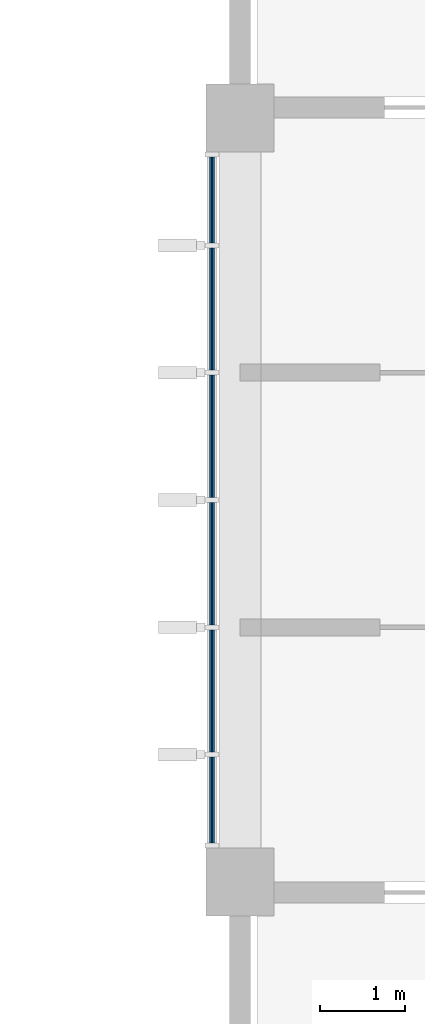
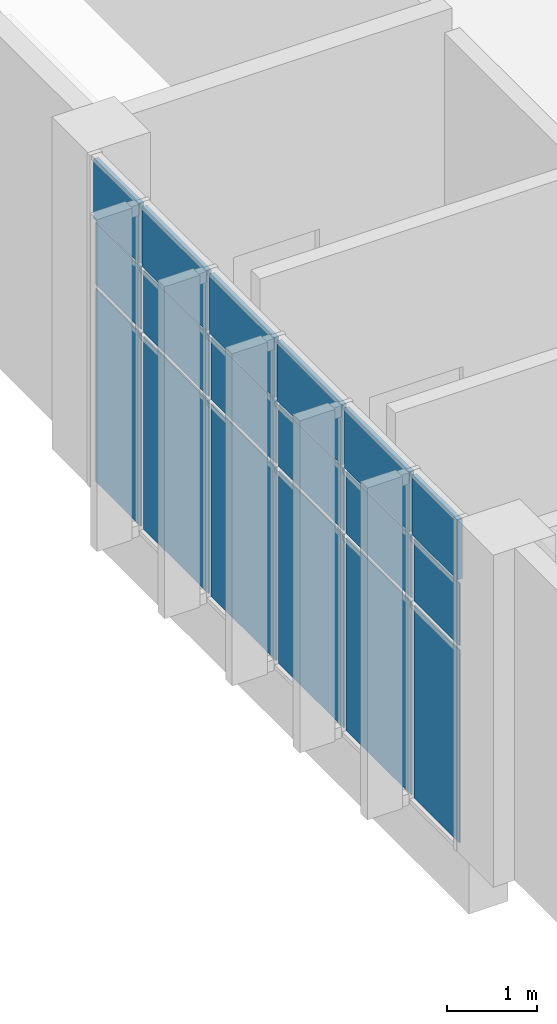
# One storey, part 25 of 43: 18 plates, 1 element without a shape of its own.
"""IFC4 building model written with IfcOpenShell, lengths in metres."""

from ifc_helpers import new_model, si_unit, direction, frame, origin, origin_2d, place, context, subcontext, project, spatial, rectangle, extrude, material, layer, layer_set, type_object, element, aggregate, save


model = new_model("IFC4")

# Units and contexts
model_context = context("Model", 3, precision=1e-05, world=origin(), true_north=direction((0.0, 1.0)))
body_context = subcontext(model_context, "Body", "Model", "MODEL_VIEW")
ifc_project = project(units=[si_unit("LENGTHUNIT", "METRE"), si_unit("AREAUNIT", "SQUARE_METRE"), si_unit("VOLUMEUNIT", "CUBIC_METRE"), si_unit("PLANEANGLEUNIT", "RADIAN"), si_unit("MASSUNIT", "GRAM", prefix="KILO")], contexts=[model_context])

# Site, building, storey
site_placement = place(None, origin())
site = spatial("IfcSite", under=ifc_project, at=site_placement, CompositionType="ELEMENT")
building_placement = place(site_placement, origin())
building = spatial("IfcBuilding", under=site, at=building_placement, Name="Guidao Yard Department Store", CompositionType="ELEMENT")
storey_placement = place(building_placement, frame((0.0, 0.0, 28.5)))
storey = spatial("IfcBuildingStorey", under=building, at=storey_placement, Name="L06", CompositionType="ELEMENT", Elevation=28.5)

# Curtain wall, plates
ifc_material_1 = material(Name="Aluminium and glass", Category="aluminium")
ifc_layer_1 = layer(ifc_material_1, 0.159912109375)
ifc_layer_set_1 = layer_set([ifc_layer_1], Name="Unitised curtain wall CW4 1500 module")
curtain_wall_type = type_object("IfcCurtainWallType", Name="Unitised curtain wall CW4 1500 module", PredefinedType="NOTDEFINED", material=ifc_layer_set_1)
curtain_wall_placement = place(storey_placement, origin())
curtain_wall = element("IfcCurtainWall", 1, at=curtain_wall_placement, inside=storey, type_object=curtain_wall_type, Name="Unitised curtain wall", PredefinedType="NOTDEFINED")
ifc_material_2 = material(Name="Aluminium 6063-T5 faced insulated spandrel", Category="aluminium")
ifc_layer_2 = layer(ifc_material_2, 0.06005859375)
ifc_layer_set_2 = layer_set([ifc_layer_2], Name="Spandrel panel SP1 insulated opaque")
plate_type_1 = type_object("IfcPlateType", Name="Spandrel panel SP1 insulated opaque", PredefinedType="CURTAIN_PANEL", material=ifc_layer_set_2)
plate_1_placement = place(storey_placement, frame((125.669921875, 9.965087890625, 3.6298828125), z_axis=(0.0, 0.0, 1.0), x_axis=(0.0, 1.0, 0.0)))
plate_1 = element("IfcPlate", 2, at=plate_1_placement, type_object=plate_type_1, Name="CW-OW-L06-05 panel 1.3", PredefinedType="CURTAIN_PANEL", context=body_context, shape_type="SweptSolid", body=[
    extrude(rectangle(XDim=1.010009765625, YDim=0.06005859375, at=origin_2d()), origin(), (0.0, 0.0, 1.0), 0.81005859375),
])
plate_2_placement = place(storey_placement, frame((125.669921875, 11.25, 3.6298828125), z_axis=(0.0, 0.0, 1.0), x_axis=(0.0, 1.0, 0.0)))
plate_2 = element("IfcPlate", 3, at=plate_2_placement, type_object=plate_type_1, Name="CW-OW-L06-05 panel 2.3", PredefinedType="CURTAIN_PANEL", context=body_context, shape_type="SweptSolid", body=[
    extrude(rectangle(XDim=1.43994140625, YDim=0.06005859375, at=origin_2d()), origin(), (0.0, 0.0, 1.0), 0.81005859375),
])
plate_3_placement = place(storey_placement, frame((125.669921875, 12.75, 3.6298828125), z_axis=(0.0, 0.0, 1.0), x_axis=(0.0, 1.0, 0.0)))
plate_3 = element("IfcPlate", 4, at=plate_3_placement, type_object=plate_type_1, Name="CW-OW-L06-05 panel 3.3", PredefinedType="CURTAIN_PANEL", context=body_context, shape_type="SweptSolid", body=[
    extrude(rectangle(XDim=1.43994140625, YDim=0.06005859375, at=origin_2d()), origin(), (0.0, 0.0, 1.0), 0.81005859375),
])
plate_4_placement = place(storey_placement, frame((125.669921875, 14.25, 3.6298828125), z_axis=(0.0, 0.0, 1.0), x_axis=(0.0, 1.0, 0.0)))
plate_4 = element("IfcPlate", 5, at=plate_4_placement, type_object=plate_type_1, Name="CW-OW-L06-05 panel 4.3", PredefinedType="CURTAIN_PANEL", context=body_context, shape_type="SweptSolid", body=[
    extrude(rectangle(XDim=1.43994140625, YDim=0.06005859375, at=origin_2d()), origin(), (0.0, 0.0, 1.0), 0.81005859375),
])
plate_5_placement = place(storey_placement, frame((125.669921875, 15.75, 3.6298828125), z_axis=(0.0, 0.0, 1.0), x_axis=(0.0, 1.0, 0.0)))
plate_5 = element("IfcPlate", 6, at=plate_5_placement, type_object=plate_type_1, Name="CW-OW-L06-05 panel 5.3", PredefinedType="CURTAIN_PANEL", context=body_context, shape_type="SweptSolid", body=[
    extrude(rectangle(XDim=1.43994140625, YDim=0.06005859375, at=origin_2d()), origin(), (0.0, 0.0, 1.0), 0.81005859375),
])
plate_6_placement = place(storey_placement, frame((125.669921875, 17.034912109375, 3.6298828125), z_axis=(0.0, 0.0, 1.0), x_axis=(0.0, 1.0, 0.0)))
plate_6 = element("IfcPlate", 7, at=plate_6_placement, type_object=plate_type_1, Name="CW-OW-L06-05 panel 6.3", PredefinedType="CURTAIN_PANEL", context=body_context, shape_type="SweptSolid", body=[
    extrude(rectangle(XDim=1.010009765625, YDim=0.06005859375, at=origin_2d()), origin(), (0.0, 0.0, 1.0), 0.81005859375),
])
ifc_material_3 = material(Name="Laminated heat-soaked tempered glass", Category="glass")
ifc_layer_3 = layer(ifc_material_3, 0.017578125)
ifc_layer_set_3 = layer_set([ifc_layer_3], Name="Vision glass VG1 laminated heat-soaked tempered 8+8")
plate_type_2 = type_object("IfcPlateType", Name="Vision glass VG1 laminated heat-soaked tempered 8+8", PredefinedType="CURTAIN_PANEL", material=ifc_layer_set_3)
plate_7_placement = place(storey_placement, frame((125.669921875, 9.965087890625, 0.06005859375), z_axis=(0.0, 0.0, 1.0), x_axis=(0.0, 1.0, 0.0)))
plate_7 = element("IfcPlate", 8, at=plate_7_placement, type_object=plate_type_2, Name="CW-OW-L06-05 panel 1.1", PredefinedType="CURTAIN_PANEL", context=body_context, shape_type="SweptSolid", body=[
    extrude(rectangle(XDim=1.010009765625, YDim=0.017578125, at=origin_2d()), origin(), (0.0, 0.0, 1.0), 2.610107421875),
])
plate_8_placement = place(storey_placement, frame((125.669921875, 9.965087890625, 2.72998046875), z_axis=(0.0, 0.0, 1.0), x_axis=(0.0, 1.0, 0.0)))
plate_8 = element("IfcPlate", 9, at=plate_8_placement, type_object=plate_type_2, Name="CW-OW-L06-05 panel 1.2", PredefinedType="CURTAIN_PANEL", context=body_context, shape_type="SweptSolid", body=[
    extrude(rectangle(XDim=1.010009765625, YDim=0.017578125, at=origin_2d()), origin(), (0.0, 0.0, 1.0), 0.840087890625),
])
plate_9_placement = place(storey_placement, frame((125.669921875, 11.25, 0.06005859375), z_axis=(0.0, 0.0, 1.0), x_axis=(0.0, 1.0, 0.0)))
plate_9 = element("IfcPlate", 10, at=plate_9_placement, type_object=plate_type_2, Name="CW-OW-L06-05 panel 2.1", PredefinedType="CURTAIN_PANEL", context=body_context, shape_type="SweptSolid", body=[
    extrude(rectangle(XDim=1.43994140625, YDim=0.017578125, at=origin_2d()), origin(), (0.0, 0.0, 1.0), 2.610107421875),
])
plate_10_placement = place(storey_placement, frame((125.669921875, 11.25, 2.72998046875), z_axis=(0.0, 0.0, 1.0), x_axis=(0.0, 1.0, 0.0)))
plate_10 = element("IfcPlate", 11, at=plate_10_placement, type_object=plate_type_2, Name="CW-OW-L06-05 panel 2.2", PredefinedType="CURTAIN_PANEL", context=body_context, shape_type="SweptSolid", body=[
    extrude(rectangle(XDim=1.43994140625, YDim=0.017578125, at=origin_2d()), origin(), (0.0, 0.0, 1.0), 0.840087890625),
])
plate_11_placement = place(storey_placement, frame((125.669921875, 12.75, 0.06005859375), z_axis=(0.0, 0.0, 1.0), x_axis=(0.0, 1.0, 0.0)))
plate_11 = element("IfcPlate", 12, at=plate_11_placement, type_object=plate_type_2, Name="CW-OW-L06-05 panel 3.1", PredefinedType="CURTAIN_PANEL", context=body_context, shape_type="SweptSolid", body=[
    extrude(rectangle(XDim=1.43994140625, YDim=0.017578125, at=origin_2d()), origin(), (0.0, 0.0, 1.0), 2.610107421875),
])
plate_12_placement = place(storey_placement, frame((125.669921875, 12.75, 2.72998046875), z_axis=(0.0, 0.0, 1.0), x_axis=(0.0, 1.0, 0.0)))
plate_12 = element("IfcPlate", 13, at=plate_12_placement, type_object=plate_type_2, Name="CW-OW-L06-05 panel 3.2", PredefinedType="CURTAIN_PANEL", context=body_context, shape_type="SweptSolid", body=[
    extrude(rectangle(XDim=1.43994140625, YDim=0.017578125, at=origin_2d()), origin(), (0.0, 0.0, 1.0), 0.840087890625),
])
plate_13_placement = place(storey_placement, frame((125.669921875, 14.25, 0.06005859375), z_axis=(0.0, 0.0, 1.0), x_axis=(0.0, 1.0, 0.0)))
plate_13 = element("IfcPlate", 14, at=plate_13_placement, type_object=plate_type_2, Name="CW-OW-L06-05 panel 4.1", PredefinedType="CURTAIN_PANEL", context=body_context, shape_type="SweptSolid", body=[
    extrude(rectangle(XDim=1.43994140625, YDim=0.017578125, at=origin_2d()), origin(), (0.0, 0.0, 1.0), 2.610107421875),
])
plate_14_placement = place(storey_placement, frame((125.669921875, 14.25, 2.72998046875), z_axis=(0.0, 0.0, 1.0), x_axis=(0.0, 1.0, 0.0)))
plate_14 = element("IfcPlate", 15, at=plate_14_placement, type_object=plate_type_2, Name="CW-OW-L06-05 panel 4.2", PredefinedType="CURTAIN_PANEL", context=body_context, shape_type="SweptSolid", body=[
    extrude(rectangle(XDim=1.43994140625, YDim=0.017578125, at=origin_2d()), origin(), (0.0, 0.0, 1.0), 0.840087890625),
])
plate_15_placement = place(storey_placement, frame((125.669921875, 15.75, 0.06005859375), z_axis=(0.0, 0.0, 1.0), x_axis=(0.0, 1.0, 0.0)))
plate_15 = element("IfcPlate", 16, at=plate_15_placement, type_object=plate_type_2, Name="CW-OW-L06-05 panel 5.1", PredefinedType="CURTAIN_PANEL", context=body_context, shape_type="SweptSolid", body=[
    extrude(rectangle(XDim=1.43994140625, YDim=0.017578125, at=origin_2d()), origin(), (0.0, 0.0, 1.0), 2.610107421875),
])
plate_16_placement = place(storey_placement, frame((125.669921875, 15.75, 2.72998046875), z_axis=(0.0, 0.0, 1.0), x_axis=(0.0, 1.0, 0.0)))
plate_16 = element("IfcPlate", 17, at=plate_16_placement, type_object=plate_type_2, Name="CW-OW-L06-05 panel 5.2", PredefinedType="CURTAIN_PANEL", context=body_context, shape_type="SweptSolid", body=[
    extrude(rectangle(XDim=1.43994140625, YDim=0.017578125, at=origin_2d()), origin(), (0.0, 0.0, 1.0), 0.840087890625),
])
plate_17_placement = place(storey_placement, frame((125.669921875, 17.034912109375, 0.06005859375), z_axis=(0.0, 0.0, 1.0), x_axis=(0.0, 1.0, 0.0)))
plate_17 = element("IfcPlate", 18, at=plate_17_placement, type_object=plate_type_2, Name="CW-OW-L06-05 panel 6.1", PredefinedType="CURTAIN_PANEL", context=body_context, shape_type="SweptSolid", body=[
    extrude(rectangle(XDim=1.010009765625, YDim=0.017578125, at=origin_2d()), origin(), (0.0, 0.0, 1.0), 2.610107421875),
])
plate_18_placement = place(storey_placement, frame((125.669921875, 17.034912109375, 2.72998046875), z_axis=(0.0, 0.0, 1.0), x_axis=(0.0, 1.0, 0.0)))
plate_18 = element("IfcPlate", 19, at=plate_18_placement, type_object=plate_type_2, Name="CW-OW-L06-05 panel 6.2", PredefinedType="CURTAIN_PANEL", context=body_context, shape_type="SweptSolid", body=[
    extrude(rectangle(XDim=1.010009765625, YDim=0.017578125, at=origin_2d()), origin(), (0.0, 0.0, 1.0), 0.840087890625),
])
aggregate(curtain_wall, [plate_7, plate_8, plate_1, plate_9, plate_10, plate_2, plate_11, plate_12, plate_3, plate_13, plate_14, plate_4, plate_15, plate_16, plate_5, plate_17, plate_18, plate_6])

save(model, "model.ifc")
